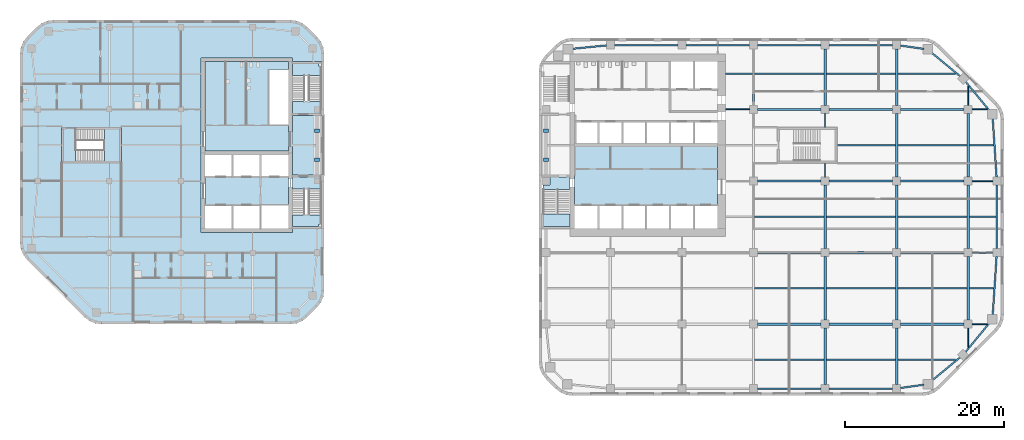
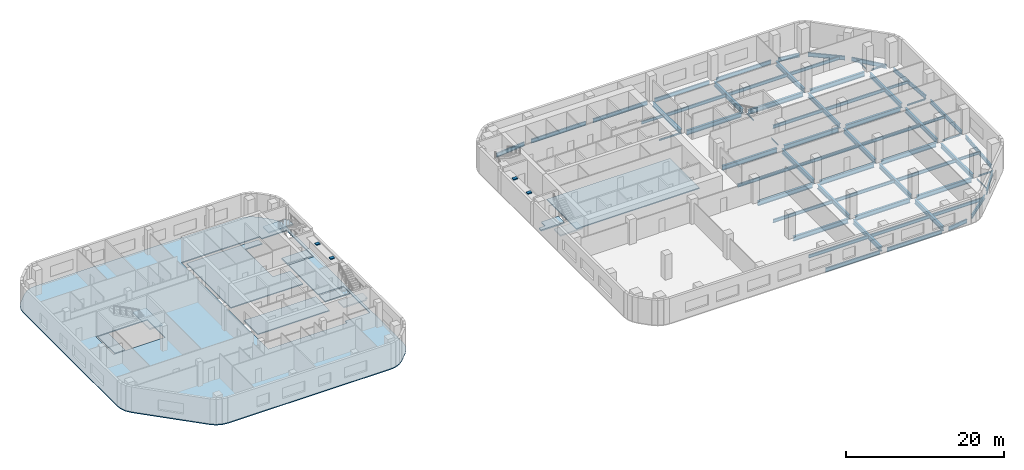
# One storey, part 3 of 15: 68 beams, 12 slabs, 4 members, 4 elements without a shape of their own.
"""IFC4 building model written with IfcOpenShell, lengths in metres."""

from ifc_helpers import new_model, si_unit, direction, frame, origin, origin_2d, place, context, subcontext, project, spatial, polyline, rectangle, i_section, outline, extrude, material, layer, layer_set, material_profile, profile_set, type_object, element, aggregate, save


model = new_model("IFC4")

# Units and contexts
model_context = context("Model", 3, precision=1e-05, world=origin(), true_north=direction((0.0, 1.0)))
body_context = subcontext(model_context, "Body", "Model", "MODEL_VIEW")
ifc_project = project(units=[si_unit("LENGTHUNIT", "METRE"), si_unit("AREAUNIT", "SQUARE_METRE"), si_unit("VOLUMEUNIT", "CUBIC_METRE"), si_unit("PLANEANGLEUNIT", "RADIAN"), si_unit("MASSUNIT", "GRAM", prefix="KILO")], contexts=[model_context])

# Site, building, storey
site_placement = place(None, origin())
site = spatial("IfcSite", under=ifc_project, at=site_placement, CompositionType="ELEMENT")
building_placement = place(site_placement, origin())
building = spatial("IfcBuilding", under=site, at=building_placement, Name="Cinnabar Reach Civic Tower", CompositionType="ELEMENT")
storey_placement = place(building_placement, frame((0.0, 0.0, 67.0)))
storey = spatial("IfcBuildingStorey", under=building, at=storey_placement, Name="L15", CompositionType="ELEMENT", Elevation=67.0)

# Beams
ifc_material_1 = material(Name="Steel Q355B", Category="steel")
ifc_material_profile_1 = material_profile(ifc_material_1, i_section(OverallWidth=0.099, OverallDepth=0.198, WebThickness=0.0045, FlangeThickness=0.007, FilletRadius=0.013, at=origin_2d()), Name="HN200x100x5.5x8")
ifc_profile_set_1 = profile_set([ifc_material_profile_1], Name="Steel Q355B")
beam_type_1 = type_object("IfcBeamType", Name="HN200x100x5.5x8 beam R 180", PredefinedType="BEAM", material=ifc_profile_set_1)
for number, where, z_axis, x_axis, name in (
    (1, (36.0, 27.502, -0.249), (0.0, 1.0, 0.0), (-1.0, 0.0, 0.0), "Girder T1 L15 15"),
    (2, (36.0, 33.752, -0.249), (0.0, 1.0, 0.0), (-1.0, 0.0, 0.0), "Girder T1 L15 16"),
):
    element("IfcBeam", number, at=place(storey_placement, frame(where, z_axis=z_axis, x_axis=x_axis)), inside=storey, type_object=beam_type_1, Name=name, PredefinedType="BEAM", context=body_context, shape_type="SweptSolid", body=[
        extrude(i_section(OverallWidth=0.099, OverallDepth=0.198, WebThickness=0.0045, FlangeThickness=0.007, FilletRadius=0.013, at=origin_2d()), origin(), (0.0, 0.0, 1.0), 1.746),
    ])
for number, where, z_axis, x_axis, name in (
    (3, (54.0, 6.0682, -0.249), (0.0, 1.0, 0.0), (-1.0, 0.0, 0.0), "Girder T1 L15 23"),
    (4, (54.0, 36.502, -0.249), (0.0, 1.0, 0.0), (-1.0, 0.0, 0.0), "Girder T1 L15 27"),
):
    element("IfcBeam", number, at=place(storey_placement, frame(where, z_axis=z_axis, x_axis=x_axis)), inside=storey, type_object=beam_type_1, Name=name, PredefinedType="BEAM", context=body_context, shape_type="SweptSolid", body=[
        extrude(i_section(OverallWidth=0.099, OverallDepth=0.198, WebThickness=0.0045, FlangeThickness=0.007, FilletRadius=0.013, at=origin_2d()), origin(), (0.0, 0.0, 1.0), 2.4298),
    ])
ifc_material_profile_2 = material_profile(ifc_material_1, i_section(OverallWidth=0.124, OverallDepth=0.248, WebThickness=0.005, FlangeThickness=0.008, FilletRadius=0.013, at=origin_2d()), Name="HN250x125x6x9")
ifc_profile_set_2 = profile_set([ifc_material_profile_2], Name="Steel Q355B")
beam_type_2 = type_object("IfcBeamType", Name="HN250x125x6x9 beam R 180", PredefinedType="BEAM", material=ifc_profile_set_2)
beam_1_placement = place(storey_placement, frame((54.502, 9.0, -0.274), z_axis=(1.0, 0.0, 0.0), x_axis=(0.0, 1.0, 0.0)))
element("IfcBeam", 5, at=beam_1_placement, inside=storey, type_object=beam_type_2, Name="Girder T1 L15 7", PredefinedType="BEAM", context=body_context, shape_type="SweptSolid", body=[
    extrude(i_section(OverallWidth=0.124, OverallDepth=0.248, WebThickness=0.005, FlangeThickness=0.008, FilletRadius=0.013, at=origin_2d()), origin(), (0.0, 0.0, 1.0), 1.9162),
])
for number, where, z_axis, x_axis, name in (
    (6, (54.502, 18.0, -0.274), (1.0, 0.0, 0.0), (0.0, 1.0, 0.0), "Girder T1 L15 14"),
    (7, (54.502, 27.0, -0.274), (1.0, 0.0, 0.0), (0.0, 1.0, 0.0), "Girder T1 L15 19"),
):
    element("IfcBeam", number, at=place(storey_placement, frame(where, z_axis=z_axis, x_axis=x_axis)), inside=storey, type_object=beam_type_2, Name=name, PredefinedType="BEAM", context=body_context, shape_type="SweptSolid", body=[
        extrude(i_section(OverallWidth=0.124, OverallDepth=0.248, WebThickness=0.005, FlangeThickness=0.008, FilletRadius=0.013, at=origin_2d()), origin(), (0.0, 0.0, 1.0), 2.596),
    ])
beam_2_placement = place(storey_placement, frame((23.502, 36.0, -0.274), z_axis=(1.0, 0.0, 0.0), x_axis=(0.0, 1.0, 0.0)))
element("IfcBeam", 8, at=beam_2_placement, inside=storey, type_object=beam_type_2, Name="Girder T1 L15 20", PredefinedType="BEAM", context=body_context, shape_type="SweptSolid", body=[
    extrude(i_section(OverallWidth=0.124, OverallDepth=0.248, WebThickness=0.005, FlangeThickness=0.008, FilletRadius=0.013, at=origin_2d()), origin(), (0.0, 0.0, 1.0), 2.996),
])
beam_3_placement = place(storey_placement, frame((54.502, 36.0, -0.274), z_axis=(1.0, 0.0, 0.0), x_axis=(0.0, 1.0, 0.0)))
element("IfcBeam", 9, at=beam_3_placement, inside=storey, type_object=beam_type_2, Name="Girder T1 L15 24", PredefinedType="BEAM", context=body_context, shape_type="SweptSolid", body=[
    extrude(i_section(OverallWidth=0.124, OverallDepth=0.248, WebThickness=0.005, FlangeThickness=0.008, FilletRadius=0.013, at=origin_2d()), origin(), (0.0, 0.0, 1.0), 1.9162),
])
ifc_material_profile_3 = material_profile(ifc_material_1, i_section(OverallWidth=0.2, OverallDepth=0.4, WebThickness=0.008, FlangeThickness=0.013, FilletRadius=0.016, at=origin_2d()), Name="HN400x200x8x13")
ifc_profile_set_3 = profile_set([ifc_material_profile_3], Name="Steel Q355B")
beam_type_3 = type_object("IfcBeamType", Name="HN400x200x8x13 beam R 180", PredefinedType="BEAM", material=ifc_profile_set_3)
beam_4_placement = place(storey_placement, frame((54.152, 13.5, -0.35), z_axis=(1.0, 0.0, 0.0), x_axis=(0.0, 1.0, 0.0)))
element("IfcBeam", 10, at=beam_4_placement, inside=storey, type_object=beam_type_3, Name="Secondary beam T1 L15 13", PredefinedType="BEAM", context=body_context, shape_type="SweptSolid", body=[
    extrude(i_section(OverallWidth=0.2, OverallDepth=0.4, WebThickness=0.008, FlangeThickness=0.013, FilletRadius=0.016, at=origin_2d()), origin(), (0.0, 0.0, 1.0), 3.0494),
])
beam_5_placement = place(storey_placement, frame((54.152, 22.5, -0.35), z_axis=(1.0, 0.0, 0.0), x_axis=(0.0, 1.0, 0.0)))
element("IfcBeam", 11, at=beam_5_placement, inside=storey, type_object=beam_type_3, Name="Secondary beam T1 L15 18", PredefinedType="BEAM", context=body_context, shape_type="SweptSolid", body=[
    extrude(i_section(OverallWidth=0.2, OverallDepth=0.4, WebThickness=0.008, FlangeThickness=0.013, FilletRadius=0.016, at=origin_2d()), origin(), (0.0, 0.0, 1.0), 3.346),
])
beam_6_placement = place(storey_placement, frame((54.152, 31.5, -0.35), z_axis=(1.0, 0.0, 0.0), x_axis=(0.0, 1.0, 0.0)))
element("IfcBeam", 12, at=beam_6_placement, inside=storey, type_object=beam_type_3, Name="Secondary beam T1 L15 24", PredefinedType="BEAM", context=body_context, shape_type="SweptSolid", body=[
    extrude(i_section(OverallWidth=0.2, OverallDepth=0.4, WebThickness=0.008, FlangeThickness=0.013, FilletRadius=0.016, at=origin_2d()), origin(), (0.0, 0.0, 1.0), 3.0494),
])
beam_7_placement = place(storey_placement, frame((23.502, 40.5, -0.35), z_axis=(1.0, 0.0, 0.0), x_axis=(0.0, 1.0, 0.0)))
element("IfcBeam", 13, at=beam_7_placement, inside=storey, type_object=beam_type_3, Name="Secondary beam T1 L15 25", PredefinedType="BEAM", context=body_context, shape_type="SweptSolid", body=[
    extrude(i_section(OverallWidth=0.2, OverallDepth=0.4, WebThickness=0.008, FlangeThickness=0.013, FilletRadius=0.016, at=origin_2d()), origin(), (0.0, 0.0, 1.0), 3.346),
])
ifc_material_profile_4 = material_profile(ifc_material_1, i_section(OverallWidth=0.2, OverallDepth=0.5, WebThickness=0.01, FlangeThickness=0.016, FilletRadius=0.016, at=origin_2d()), Name="HN500x200x10x16")
ifc_profile_set_4 = profile_set([ifc_material_profile_4], Name="Steel Q355B")
beam_type_4 = type_object("IfcBeamType", Name="HN500x200x10x16 beam R 180", PredefinedType="BEAM", material=ifc_profile_set_4)
for number, where, z_axis, x_axis, name in (
    (14, (27.152, 4.5, -0.4), (1.0, 0.0, 0.0), (0.0, 1.0, 0.0), "Secondary beam T1 L15 4"),
    (15, (36.152, 4.5, -0.4), (1.0, 0.0, 0.0), (0.0, 1.0, 0.0), "Secondary beam T1 L15 5"),
):
    element("IfcBeam", number, at=place(storey_placement, frame(where, z_axis=z_axis, x_axis=x_axis)), inside=storey, type_object=beam_type_4, Name=name, PredefinedType="BEAM", context=body_context, shape_type="SweptSolid", body=[
        extrude(i_section(OverallWidth=0.2, OverallDepth=0.5, WebThickness=0.01, FlangeThickness=0.016, FilletRadius=0.016, at=origin_2d()), origin(), (0.0, 0.0, 1.0), 8.696),
    ])
beam_8_placement = place(storey_placement, frame((45.152, 4.5, -0.4), z_axis=(1.0, 0.0, 0.0), x_axis=(0.0, 1.0, 0.0)))
element("IfcBeam", 16, at=beam_8_placement, inside=storey, type_object=beam_type_4, Name="Secondary beam T1 L15 6", PredefinedType="BEAM", context=body_context, shape_type="SweptSolid", body=[
    extrude(i_section(OverallWidth=0.2, OverallDepth=0.5, WebThickness=0.01, FlangeThickness=0.016, FilletRadius=0.016, at=origin_2d()), origin(), (0.0, 0.0, 1.0), 7.2798),
])
for number, where, z_axis, x_axis, name in (
    (17, (27.152, 13.5, -0.4), (1.0, 0.0, 0.0), (0.0, 1.0, 0.0), "Secondary beam T1 L15 10"),
    (18, (36.152, 13.5, -0.4), (1.0, 0.0, 0.0), (0.0, 1.0, 0.0), "Secondary beam T1 L15 11"),
    (19, (45.152, 13.5, -0.4), (1.0, 0.0, 0.0), (0.0, 1.0, 0.0), "Secondary beam T1 L15 12"),
    (20, (27.152, 22.5, -0.4), (1.0, 0.0, 0.0), (0.0, 1.0, 0.0), "Secondary beam T1 L15 15"),
    (21, (36.152, 22.5, -0.4), (1.0, 0.0, 0.0), (0.0, 1.0, 0.0), "Secondary beam T1 L15 16"),
    (22, (45.152, 22.5, -0.4), (1.0, 0.0, 0.0), (0.0, 1.0, 0.0), "Secondary beam T1 L15 17"),
):
    element("IfcBeam", number, at=place(storey_placement, frame(where, z_axis=z_axis, x_axis=x_axis)), inside=storey, type_object=beam_type_4, Name=name, PredefinedType="BEAM", context=body_context, shape_type="SweptSolid", body=[
        extrude(i_section(OverallWidth=0.2, OverallDepth=0.5, WebThickness=0.01, FlangeThickness=0.016, FilletRadius=0.016, at=origin_2d()), origin(), (0.0, 0.0, 1.0), 8.696),
    ])
beam_9_placement = place(storey_placement, frame((37.502, 31.5, -0.4), z_axis=(1.0, 0.0, 0.0), x_axis=(0.0, 1.0, 0.0)))
element("IfcBeam", 23, at=beam_9_placement, inside=storey, type_object=beam_type_4, Name="Secondary beam T1 L15 22", PredefinedType="BEAM", context=body_context, shape_type="SweptSolid", body=[
    extrude(i_section(OverallWidth=0.2, OverallDepth=0.5, WebThickness=0.01, FlangeThickness=0.016, FilletRadius=0.016, at=origin_2d()), origin(), (0.0, 0.0, 1.0), 7.346),
])
for number, where, z_axis, x_axis, name in (
    (24, (45.152, 31.5, -0.4), (1.0, 0.0, 0.0), (0.0, 1.0, 0.0), "Secondary beam T1 L15 23"),
    (25, (27.152, 40.5, -0.4), (1.0, 0.0, 0.0), (0.0, 1.0, 0.0), "Secondary beam T1 L15 26"),
    (26, (36.152, 40.5, -0.4), (1.0, 0.0, 0.0), (0.0, 1.0, 0.0), "Secondary beam T1 L15 27"),
):
    element("IfcBeam", number, at=place(storey_placement, frame(where, z_axis=z_axis, x_axis=x_axis)), inside=storey, type_object=beam_type_4, Name=name, PredefinedType="BEAM", context=body_context, shape_type="SweptSolid", body=[
        extrude(i_section(OverallWidth=0.2, OverallDepth=0.5, WebThickness=0.01, FlangeThickness=0.016, FilletRadius=0.016, at=origin_2d()), origin(), (0.0, 0.0, 1.0), 8.696),
    ])
beam_10_placement = place(storey_placement, frame((45.152, 40.5, -0.4), z_axis=(1.0, 0.0, 0.0), x_axis=(0.0, 1.0, 0.0)))
element("IfcBeam", 27, at=beam_10_placement, inside=storey, type_object=beam_type_4, Name="Secondary beam T1 L15 28", PredefinedType="BEAM", context=body_context, shape_type="SweptSolid", body=[
    extrude(i_section(OverallWidth=0.2, OverallDepth=0.5, WebThickness=0.01, FlangeThickness=0.016, FilletRadius=0.016, at=origin_2d()), origin(), (0.0, 0.0, 1.0), 7.2798),
])
ifc_material_profile_5 = material_profile(ifc_material_1, i_section(OverallWidth=0.2, OverallDepth=0.6, WebThickness=0.011, FlangeThickness=0.017, FilletRadius=0.016, at=origin_2d()), Name="HN600x200x11x17")
ifc_profile_set_5 = profile_set([ifc_material_profile_5], Name="Steel Q355B")
beam_type_5 = type_object("IfcBeamType", Name="HN600x200x11x17 beam R 180", PredefinedType="BEAM", material=ifc_profile_set_5)
for number, where, z_axis, x_axis, name in (
    (28, (27.502, 0.9, -0.45), (1.0, 0.0, 0.0), (0.0, 1.0, 0.0), "Edge beam T1 L15 4"),
    (29, (36.502, 0.9, -0.45), (1.0, 0.0, 0.0), (0.0, 1.0, 0.0), "Edge beam T1 L15 5"),
):
    element("IfcBeam", number, at=place(storey_placement, frame(where, z_axis=z_axis, x_axis=x_axis)), inside=storey, type_object=beam_type_5, Name=name, PredefinedType="BEAM", context=body_context, shape_type="SweptSolid", body=[
        extrude(i_section(OverallWidth=0.2, OverallDepth=0.6, WebThickness=0.011, FlangeThickness=0.017, FilletRadius=0.016, at=origin_2d()), origin(), (0.0, 0.0, 1.0), 7.996),
    ])
beam_11_placement = place(storey_placement, frame((45.502, 0.9712, -0.45), z_axis=(0.990082238922, 0.140489003738, 0.0), x_axis=(-0.140489003738, 0.990082238922, 0.0)))
element("IfcBeam", 30, at=beam_11_placement, inside=storey, type_object=beam_type_5, Name="Edge beam T1 L15 6", PredefinedType="BEAM", context=body_context, shape_type="SweptSolid", body=[
    extrude(i_section(OverallWidth=0.2, OverallDepth=0.6, WebThickness=0.011, FlangeThickness=0.017, FilletRadius=0.016, at=origin_2d()), origin(), (0.0, 0.0, 1.0), 2.9433),
])
for number, where, z_axis, x_axis, name in (
    (31, (49.3801, 1.8507, -0.45), (0.77143827905, 0.6363041581, 0.0), (-0.6363041581, 0.77143827905, 0.0), "Edge beam T1 L15 7"),
    (32, (53.6461, 5.4789, -0.45), (0.6363041581, 0.77143827905, 0.0), (-0.77143827905, 0.6363041581, 0.0), "Edge beam T1 L15 8"),
):
    element("IfcBeam", number, at=place(storey_placement, frame(where, z_axis=z_axis, x_axis=x_axis)), inside=storey, type_object=beam_type_5, Name=name, PredefinedType="BEAM", context=body_context, shape_type="SweptSolid", body=[
        extrude(i_section(OverallWidth=0.2, OverallDepth=0.6, WebThickness=0.011, FlangeThickness=0.017, FilletRadius=0.016, at=origin_2d()), origin(), (0.0, 0.0, 1.0), 4.7198),
    ])
beam_12_placement = place(storey_placement, frame((57.0786, 10.0839, -0.45), z_axis=(0.065718615968, 0.997838195057, 0.0), x_axis=(-0.997838195057, 0.065718615968, 0.0)))
element("IfcBeam", 33, at=beam_12_placement, inside=storey, type_object=beam_type_5, Name="Edge beam T1 L15 9", PredefinedType="BEAM", context=body_context, shape_type="SweptSolid", body=[
    extrude(i_section(OverallWidth=0.2, OverallDepth=0.6, WebThickness=0.011, FlangeThickness=0.017, FilletRadius=0.016, at=origin_2d()), origin(), (0.0, 0.0, 1.0), 7.4302),
])
beam_13_placement = place(storey_placement, frame((57.6, 18.502, -0.45), z_axis=(0.0, 1.0, 0.0), x_axis=(-1.0, 0.0, 0.0)))
element("IfcBeam", 34, at=beam_13_placement, inside=storey, type_object=beam_type_5, Name="Edge beam T1 L15 10", PredefinedType="BEAM", context=body_context, shape_type="SweptSolid", body=[
    extrude(i_section(OverallWidth=0.2, OverallDepth=0.6, WebThickness=0.011, FlangeThickness=0.017, FilletRadius=0.016, at=origin_2d()), origin(), (0.0, 0.0, 1.0), 7.996),
])
beam_14_placement = place(storey_placement, frame((57.5669, 27.502, -0.45), z_axis=(-0.065718615968, 0.997838195057, 0.0), x_axis=(-0.997838195057, -0.065718615968, 0.0)))
element("IfcBeam", 35, at=beam_14_placement, inside=storey, type_object=beam_type_5, Name="Edge beam T1 L15 11", PredefinedType="BEAM", context=body_context, shape_type="SweptSolid", body=[
    extrude(i_section(OverallWidth=0.2, OverallDepth=0.6, WebThickness=0.011, FlangeThickness=0.017, FilletRadius=0.016, at=origin_2d()), origin(), (0.0, 0.0, 1.0), 7.4302),
])
for number, where, z_axis, x_axis, name in (
    (36, (56.6493, 35.8801, -0.45), (-0.6363041581, 0.77143827905, 0.0), (-0.77143827905, -0.6363041581, 0.0), "Edge beam T1 L15 12"),
    (37, (53.0211, 40.1461, -0.45), (-0.77143827905, 0.6363041581, 0.0), (-0.6363041581, -0.77143827905, 0.0), "Edge beam T1 L15 13"),
):
    element("IfcBeam", number, at=place(storey_placement, frame(where, z_axis=z_axis, x_axis=x_axis)), inside=storey, type_object=beam_type_5, Name=name, PredefinedType="BEAM", context=body_context, shape_type="SweptSolid", body=[
        extrude(i_section(OverallWidth=0.2, OverallDepth=0.6, WebThickness=0.011, FlangeThickness=0.017, FilletRadius=0.016, at=origin_2d()), origin(), (0.0, 0.0, 1.0), 4.7198),
    ])
beam_15_placement = place(storey_placement, frame((48.4161, 43.6153, -0.45), z_axis=(-0.990082238922, 0.140489003738, 0.0), x_axis=(-0.140489003738, -0.990082238922, 0.0)))
element("IfcBeam", 38, at=beam_15_placement, inside=storey, type_object=beam_type_5, Name="Edge beam T1 L15 14", PredefinedType="BEAM", context=body_context, shape_type="SweptSolid", body=[
    extrude(i_section(OverallWidth=0.2, OverallDepth=0.6, WebThickness=0.011, FlangeThickness=0.017, FilletRadius=0.016, at=origin_2d()), origin(), (0.0, 0.0, 1.0), 2.9433),
])
for number, where, z_axis, x_axis, name in (
    (39, (44.498, 44.1, -0.45), (-1.0, 0.0, 0.0), (0.0, -1.0, 0.0), "Edge beam T1 L15 15"),
    (40, (35.498, 44.1, -0.45), (-1.0, 0.0, 0.0), (0.0, -1.0, 0.0), "Edge beam T1 L15 16"),
    (41, (26.498, 44.1, -0.45), (-1.0, 0.0, 0.0), (0.0, -1.0, 0.0), "Edge beam T1 L15 17"),
    (42, (17.498, 44.1, -0.45), (-1.0, 0.0, 0.0), (0.0, -1.0, 0.0), "Edge beam T1 L15 18"),
):
    element("IfcBeam", number, at=place(storey_placement, frame(where, z_axis=z_axis, x_axis=x_axis)), inside=storey, type_object=beam_type_5, Name=name, PredefinedType="BEAM", context=body_context, shape_type="SweptSolid", body=[
        extrude(i_section(OverallWidth=0.2, OverallDepth=0.6, WebThickness=0.011, FlangeThickness=0.017, FilletRadius=0.016, at=origin_2d()), origin(), (0.0, 0.0, 1.0), 7.996),
    ])
beam_16_placement = place(storey_placement, frame((8.498, 44.0505, -0.45), z_axis=(-0.995166374533, -0.098203294236, 0.0), x_axis=(0.098203294236, -0.995166374533, 0.0)))
element("IfcBeam", 43, at=beam_16_placement, inside=storey, type_object=beam_type_5, Name="Edge beam T1 L15 19", PredefinedType="BEAM", context=body_context, shape_type="SweptSolid", body=[
    extrude(i_section(OverallWidth=0.2, OverallDepth=0.6, WebThickness=0.011, FlangeThickness=0.017, FilletRadius=0.016, at=origin_2d()), origin(), (0.0, 0.0, 1.0), 4.3705),
])
ifc_material_profile_6 = material_profile(ifc_material_1, i_section(OverallWidth=0.3, OverallDepth=0.692, WebThickness=0.013, FlangeThickness=0.02, FilletRadius=0.016, at=origin_2d()), Name="HN692x300x13x20")
ifc_profile_set_6 = profile_set([ifc_material_profile_6], Name="Steel Q355B")
beam_type_6 = type_object("IfcBeamType", Name="HN692x300x13x20 beam R 180", PredefinedType="BEAM", material=ifc_profile_set_6)
for number, where, z_axis, x_axis, name in (
    (44, (27.0, 36.502, -0.496), (0.0, 1.0, 0.0), (-1.0, 0.0, 0.0), "Girder T1 L15 11"),
    (45, (36.0, 1.402, -0.496), (0.0, 1.0, 0.0), (-1.0, 0.0, 0.0), "Girder T1 L15 12"),
):
    element("IfcBeam", number, at=place(storey_placement, frame(where, z_axis=z_axis, x_axis=x_axis)), inside=storey, type_object=beam_type_6, Name=name, PredefinedType="BEAM", context=body_context, shape_type="SweptSolid", body=[
        extrude(i_section(OverallWidth=0.3, OverallDepth=0.692, WebThickness=0.013, FlangeThickness=0.02, FilletRadius=0.016, at=origin_2d()), origin(), (0.0, 0.0, 1.0), 7.096),
    ])
for number, where, z_axis, x_axis, name in (
    (46, (36.0, 9.502, -0.496), (0.0, 1.0, 0.0), (-1.0, 0.0, 0.0), "Girder T1 L15 13"),
    (47, (36.0, 18.502, -0.496), (0.0, 1.0, 0.0), (-1.0, 0.0, 0.0), "Girder T1 L15 14"),
):
    element("IfcBeam", number, at=place(storey_placement, frame(where, z_axis=z_axis, x_axis=x_axis)), inside=storey, type_object=beam_type_6, Name=name, PredefinedType="BEAM", context=body_context, shape_type="SweptSolid", body=[
        extrude(i_section(OverallWidth=0.3, OverallDepth=0.692, WebThickness=0.013, FlangeThickness=0.02, FilletRadius=0.016, at=origin_2d()), origin(), (0.0, 0.0, 1.0), 7.996),
    ])
for number, where, z_axis, x_axis, name in (
    (48, (36.0, 36.502, -0.496), (0.0, 1.0, 0.0), (-1.0, 0.0, 0.0), "Girder T1 L15 17"),
    (49, (45.0, 1.402, -0.496), (0.0, 1.0, 0.0), (-1.0, 0.0, 0.0), "Girder T1 L15 18"),
):
    element("IfcBeam", number, at=place(storey_placement, frame(where, z_axis=z_axis, x_axis=x_axis)), inside=storey, type_object=beam_type_6, Name=name, PredefinedType="BEAM", context=body_context, shape_type="SweptSolid", body=[
        extrude(i_section(OverallWidth=0.3, OverallDepth=0.692, WebThickness=0.013, FlangeThickness=0.02, FilletRadius=0.016, at=origin_2d()), origin(), (0.0, 0.0, 1.0), 7.096),
    ])
for number, where, z_axis, x_axis, name in (
    (50, (45.0, 9.502, -0.496), (0.0, 1.0, 0.0), (-1.0, 0.0, 0.0), "Girder T1 L15 19"),
    (51, (45.0, 18.502, -0.496), (0.0, 1.0, 0.0), (-1.0, 0.0, 0.0), "Girder T1 L15 20"),
    (52, (45.0, 27.502, -0.496), (0.0, 1.0, 0.0), (-1.0, 0.0, 0.0), "Girder T1 L15 21"),
):
    element("IfcBeam", number, at=place(storey_placement, frame(where, z_axis=z_axis, x_axis=x_axis)), inside=storey, type_object=beam_type_6, Name=name, PredefinedType="BEAM", context=body_context, shape_type="SweptSolid", body=[
        extrude(i_section(OverallWidth=0.3, OverallDepth=0.692, WebThickness=0.013, FlangeThickness=0.02, FilletRadius=0.016, at=origin_2d()), origin(), (0.0, 0.0, 1.0), 7.996),
    ])
beam_17_placement = place(storey_placement, frame((45.0, 36.502, -0.496), z_axis=(0.0, 1.0, 0.0), x_axis=(-1.0, 0.0, 0.0)))
element("IfcBeam", 53, at=beam_17_placement, inside=storey, type_object=beam_type_6, Name="Girder T1 L15 22", PredefinedType="BEAM", context=body_context, shape_type="SweptSolid", body=[
    extrude(i_section(OverallWidth=0.3, OverallDepth=0.692, WebThickness=0.013, FlangeThickness=0.02, FilletRadius=0.016, at=origin_2d()), origin(), (0.0, 0.0, 1.0), 7.096),
])
for number, where, z_axis, x_axis, name in (
    (54, (54.0, 9.502, -0.496), (0.0, 1.0, 0.0), (-1.0, 0.0, 0.0), "Girder T1 L15 24"),
    (55, (54.0, 18.502, -0.496), (0.0, 1.0, 0.0), (-1.0, 0.0, 0.0), "Girder T1 L15 25"),
    (56, (54.0, 27.502, -0.496), (0.0, 1.0, 0.0), (-1.0, 0.0, 0.0), "Girder T1 L15 26"),
):
    element("IfcBeam", number, at=place(storey_placement, frame(where, z_axis=z_axis, x_axis=x_axis)), inside=storey, type_object=beam_type_6, Name=name, PredefinedType="BEAM", context=body_context, shape_type="SweptSolid", body=[
        extrude(i_section(OverallWidth=0.3, OverallDepth=0.692, WebThickness=0.013, FlangeThickness=0.02, FilletRadius=0.016, at=origin_2d()), origin(), (0.0, 0.0, 1.0), 7.996),
    ])
ifc_material_profile_7 = material_profile(ifc_material_1, i_section(OverallWidth=0.3, OverallDepth=0.7, WebThickness=0.013, FlangeThickness=0.024, FilletRadius=0.02, at=origin_2d()), Name="HN700x300x13x24")
ifc_profile_set_7 = profile_set([ifc_material_profile_7], Name="Steel Q355B")
beam_type_7 = type_object("IfcBeamType", Name="HN700x300x13x24 beam R 180", PredefinedType="BEAM", material=ifc_profile_set_7)
for number, where, z_axis, x_axis, name in (
    (57, (27.502, 9.0, -0.5), (1.0, 0.0, 0.0), (0.0, 1.0, 0.0), "Girder T1 L15 4"),
    (58, (36.502, 9.0, -0.5), (1.0, 0.0, 0.0), (0.0, 1.0, 0.0), "Girder T1 L15 5"),
    (59, (45.502, 9.0, -0.5), (1.0, 0.0, 0.0), (0.0, 1.0, 0.0), "Girder T1 L15 6"),
    (60, (27.502, 18.0, -0.5), (1.0, 0.0, 0.0), (0.0, 1.0, 0.0), "Girder T1 L15 11"),
    (61, (36.502, 18.0, -0.5), (1.0, 0.0, 0.0), (0.0, 1.0, 0.0), "Girder T1 L15 12"),
    (62, (45.502, 18.0, -0.5), (1.0, 0.0, 0.0), (0.0, 1.0, 0.0), "Girder T1 L15 13"),
    (63, (27.502, 27.0, -0.5), (1.0, 0.0, 0.0), (0.0, 1.0, 0.0), "Girder T1 L15 16"),
    (64, (36.502, 27.0, -0.5), (1.0, 0.0, 0.0), (0.0, 1.0, 0.0), "Girder T1 L15 17"),
    (65, (45.502, 27.0, -0.5), (1.0, 0.0, 0.0), (0.0, 1.0, 0.0), "Girder T1 L15 18"),
    (66, (27.502, 36.0, -0.5), (1.0, 0.0, 0.0), (0.0, 1.0, 0.0), "Girder T1 L15 21"),
    (67, (36.502, 36.0, -0.5), (1.0, 0.0, 0.0), (0.0, 1.0, 0.0), "Girder T1 L15 22"),
    (68, (45.502, 36.0, -0.5), (1.0, 0.0, 0.0), (0.0, 1.0, 0.0), "Girder T1 L15 23"),
):
    element("IfcBeam", number, at=place(storey_placement, frame(where, z_axis=z_axis, x_axis=x_axis)), inside=storey, type_object=beam_type_7, Name=name, PredefinedType="BEAM", context=body_context, shape_type="SweptSolid", body=[
        extrude(i_section(OverallWidth=0.3, OverallDepth=0.7, WebThickness=0.013, FlangeThickness=0.024, FilletRadius=0.02, at=origin_2d()), origin(), (0.0, 0.0, 1.0), 7.996),
    ])

# Members
member_type = type_object("IfcMemberType", Name="Sliding bearing", PredefinedType="USERDEFINED", material=ifc_material_1)
for number, where, z_axis, x_axis, name in (
    (69, (0.9, 29.7, 3.286), (0.0, 0.0, 1.0), (1.0, 0.0, 0.0), "BR1 bearing T1"),
    (70, (0.9, 33.3, 3.286), (0.0, 0.0, 1.0), (1.0, 0.0, 0.0), "BR1 bearing T1"),
    (71, (-27.9, 29.7, 3.286), (0.0, 0.0, 1.0), (1.0, 0.0, 0.0), "BR1 bearing T2"),
    (72, (-27.9, 33.3, 3.286), (0.0, 0.0, 1.0), (1.0, 0.0, 0.0), "BR1 bearing T2"),
):
    element("IfcMember", number, at=place(storey_placement, frame(where, z_axis=z_axis, x_axis=x_axis)), inside=storey, type_object=member_type, Name=name, ObjectType="BEARING", PredefinedType="USERDEFINED", context=body_context, shape_type="SweptSolid", body=[
        extrude(rectangle(XDim=0.6, YDim=0.45, at=origin_2d()), origin(), (0.0, 0.0, 1.0), 0.15),
    ])

# Slab
ifc_material_2 = material(Name="Concrete C40", Category="concrete")
ifc_layer_1 = layer(ifc_material_2, 0.15)
ifc_layer_set_1 = layer_set([ifc_layer_1], Name="Composite floor slab 150 REI 120")
slab_type_1 = type_object("IfcSlabType", Name="Composite floor slab 150 REI 120", PredefinedType="FLOOR", material=ifc_layer_set_1)
slab_1_placement = place(storey_placement, frame((0.0, 0.0, -0.15)))
element("IfcSlab", 73, at=slab_1_placement, inside=storey, type_object=slab_type_1, Name="Composite floor slab 150 T2 L15", PredefinedType="FLOOR", context=body_context, shape_type="SweptSolid", body=[
    extrude(outline(polyline([(-64.3713, 17.1213), (-64.8481, 17.7426), (-65.1478, 18.4662), (-65.25, 19.2426), (-65.25, 43.0074), (-65.1478, 43.7838), (-64.8481, 44.5074), (-64.3713, 45.1287), (-63.1287, 46.3713), (-62.5074, 46.8481), (-61.7838, 47.1478), (-61.0074, 47.25), (-31.2426, 47.25), (-30.4662, 47.1478), (-29.7426, 46.8481), (-29.1213, 46.3713), (-27.8787, 45.1287), (-27.4019, 44.5074), (-27.1022, 43.7838), (-27.0, 43.0074), (-27.0, 13.2426), (-27.1022, 12.4662), (-27.4019, 11.7426), (-27.8787, 11.1213), (-29.1213, 9.8787), (-29.7426, 9.4019), (-30.4662, 9.1022), (-31.2426, 9.0), (-55.0074, 9.0), (-55.7838, 9.1022), (-56.5074, 9.4019), (-57.1287, 9.8787), (-64.3713, 17.1213)]), holes=[polyline([(-31.0, 27.75), (-31.0, 35.25), (-27.36, 35.25), (-27.36, 42.0), (-31.0, 42.0), (-31.0, 42.5), (-42.5, 42.5), (-42.5, 20.5), (-31.0, 20.5), (-31.0, 21.0), (-27.36, 21.0), (-27.36, 27.75), (-31.0, 27.75)]), polyline([(-60.0, 33.75), (-60.0, 29.25), (-52.5, 29.25), (-52.5, 33.75), (-60.0, 33.75)])]), origin(), (0.0, 0.0, 1.0), 0.15),
])

# Stair, slabs
ifc_material_3 = material(Name="Concrete C40/50", Category="concrete")
stair_type_1 = type_object("IfcStairType", Name="T1 Exit stair, half-turn", PredefinedType="HALF_TURN_STAIR", material=ifc_material_3)
stair_1_placement = place(storey_placement, origin())
stair_1 = element("IfcStair", 74, at=stair_1_placement, inside=storey, type_object=stair_type_1, Name="Stair T1-S1", PredefinedType="HALF_TURN_STAIR")
ifc_layer_2 = layer(ifc_material_3, 0.2)
ifc_layer_set_2 = layer_set([ifc_layer_2], Name="T1 Stair landing 200, Concrete C40/50")
slab_type_2 = type_object("IfcSlabType", Name="T1 Stair landing 200, Concrete C40/50", PredefinedType="LANDING", material=ifc_layer_set_2)
slab_2_placement = place(storey_placement, frame((0.0, 0.0, -0.2)))
slab_2 = element("IfcSlab", 75, at=slab_2_placement, type_object=slab_type_2, Name="T1-S1 landing 1", PredefinedType="LANDING", context=body_context, shape_type="SweptSolid", body=[
    extrude(outline(polyline([(3.9, 27.5), (3.9, 25.95), (0.5, 25.95), (0.5, 26.5), (1.4, 26.5), (1.4, 27.5), (3.9, 27.5)])), origin(), (0.0, 0.0, 1.0), 0.2),
])
slab_3_placement = place(storey_placement, frame((0.0, 0.0, 1.8)))
slab_3 = element("IfcSlab", 76, at=slab_3_placement, type_object=slab_type_2, Name="T1-S1 landing 2", PredefinedType="LANDING", context=body_context, shape_type="SweptSolid", body=[
    extrude(outline(polyline([(0.6, 21.25), (0.6, 22.87), (3.9, 22.87), (3.9, 21.25), (0.6, 21.25)])), origin(), (0.0, 0.0, 1.0), 0.2),
])
aggregate(stair_1, [slab_2, slab_3])

# Slabs
ifc_layer_3 = layer(ifc_material_3, 0.15)
ifc_layer_set_3 = layer_set([ifc_layer_3], Name="T1 core floor slab 150")
slab_type_3 = type_object("IfcSlabType", Name="T1 core floor slab 150", PredefinedType="FLOOR", material=ifc_layer_set_3)
slab_4_placement = place(storey_placement, frame((0.0, 0.0, -0.15)))
element("IfcSlab", 77, at=slab_4_placement, inside=storey, type_object=slab_type_3, Name="Core floor slab L15", PredefinedType="FLOOR", context=body_context, shape_type="SweptSolid", body=[
    extrude(outline(polyline([(22.5, 24.0), (19.5, 24.0), (16.5, 24.0), (13.5, 24.0), (10.5, 24.0), (7.5, 24.0), (4.5, 24.0), (4.5, 31.5), (7.5, 31.5), (10.5, 31.5), (13.5, 31.5), (16.5, 31.5), (19.5, 31.5), (22.5, 31.5), (22.5, 24.0)])), origin(), (0.0, 0.0, 1.0), 0.15),
])
ifc_layer_4 = layer(ifc_material_2, 0.15)
ifc_layer_set_4 = layer_set([ifc_layer_4], Name="T2 Core floor slab 150")
slab_type_4 = type_object("IfcSlabType", Name="T2 Core floor slab 150", PredefinedType="FLOOR", material=ifc_layer_set_4)
slab_5_placement = place(storey_placement, frame((0.0, 0.0, -0.15)))
element("IfcSlab", 78, at=slab_5_placement, inside=storey, type_object=slab_type_4, Name="Core floor slab L15", PredefinedType="FLOOR", context=body_context, shape_type="SweptSolid", body=[
    extrude(outline(polyline([(-42.0, 42.0), (-31.5, 42.0), (-31.5, 41.0), (-34.0, 41.0), (-34.0, 34.0), (-31.5, 34.0), (-31.5, 30.75), (-42.0, 30.75), (-42.0, 42.0)])), origin(), (0.0, 0.0, 1.0), 0.15),
])
slab_6_placement = place(storey_placement, frame((0.0, 0.0, -0.15)))
element("IfcSlab", 79, at=slab_6_placement, inside=storey, type_object=slab_type_4, Name="Core floor slab L15", PredefinedType="FLOOR", context=body_context, shape_type="SweptSolid", body=[
    extrude(outline(polyline([(-35.0, 24.0), (-38.5, 24.0), (-42.0, 24.0), (-42.0, 27.5), (-38.5, 27.5), (-35.0, 27.5), (-31.5, 27.5), (-31.5, 24.0), (-35.0, 24.0)])), origin(), (0.0, 0.0, 1.0), 0.15),
])

# Stair, slabs
stair_type_2 = type_object("IfcStairType", Name="T2 Exit stair 1500", PredefinedType="HALF_TURN_STAIR", material=ifc_material_2)
stair_2_placement = place(storey_placement, origin())
stair_2 = element("IfcStair", 80, at=stair_2_placement, inside=storey, type_object=stair_type_2, Name="Exit stair 1", PredefinedType="HALF_TURN_STAIR")
ifc_layer_5 = layer(ifc_material_2, 0.2)
ifc_layer_set_5 = layer_set([ifc_layer_5], Name="T2 Stair landing 200")
slab_type_5 = type_object("IfcSlabType", Name="T2 Stair landing 200", PredefinedType="LANDING", material=ifc_layer_set_5)
slab_7_placement = place(storey_placement, frame((0.0, 0.0, -0.2)))
slab_7 = element("IfcSlab", 81, at=slab_7_placement, type_object=slab_type_5, Name="ST1 landing 1", PredefinedType="LANDING", context=body_context, shape_type="SweptSolid", body=[
    extrude(outline(polyline([(-31.0, 26.0), (-31.0, 27.5), (-27.4, 27.5), (-27.4, 26.0), (-31.0, 26.0)])), origin(), (0.0, 0.0, 1.0), 0.2),
])
slab_8_placement = place(storey_placement, frame((0.0, 0.0, 1.8)))
slab_8 = element("IfcSlab", 82, at=slab_8_placement, type_object=slab_type_5, Name="ST1 landing 2", PredefinedType="LANDING", context=body_context, shape_type="SweptSolid", body=[
    extrude(outline(polyline([(-31.0, 21.25), (-31.0, 22.75), (-27.4, 22.75), (-27.4, 21.55), (-27.7, 21.55), (-27.7, 21.25), (-31.0, 21.25)])), origin(), (0.0, 0.0, 1.0), 0.2),
])
aggregate(stair_2, [slab_7, slab_8])

stair_3_placement = place(storey_placement, origin())
stair_3 = element("IfcStair", 83, at=stair_3_placement, inside=storey, type_object=stair_type_2, Name="Exit stair 2", PredefinedType="HALF_TURN_STAIR")
slab_9_placement = place(storey_placement, frame((0.0, 0.0, -0.2)))
slab_9 = element("IfcSlab", 84, at=slab_9_placement, type_object=slab_type_5, Name="ST2 landing 1", PredefinedType="LANDING", context=body_context, shape_type="SweptSolid", body=[
    extrude(outline(polyline([(-31.0, 35.5), (-31.0, 37.0), (-27.4, 37.0), (-27.4, 35.5), (-31.0, 35.5)])), origin(), (0.0, 0.0, 1.0), 0.2),
])
slab_10_placement = place(storey_placement, frame((0.0, 0.0, 1.8)))
slab_10 = element("IfcSlab", 85, at=slab_10_placement, type_object=slab_type_5, Name="ST2 landing 2", PredefinedType="LANDING", context=body_context, shape_type="SweptSolid", body=[
    extrude(outline(polyline([(-27.4, 40.25), (-31.0, 40.25), (-31.0, 41.75), (-27.7, 41.75), (-27.7, 41.45), (-27.4, 41.45), (-27.4, 40.25)])), origin(), (0.0, 0.0, 1.0), 0.2),
])
aggregate(stair_3, [slab_9, slab_10])

stair_4_placement = place(storey_placement, origin())
stair_4 = element("IfcStair", 86, at=stair_4_placement, inside=storey, type_object=stair_type_2, Name="Exit stair 3", PredefinedType="HALF_TURN_STAIR")
slab_11_placement = place(storey_placement, frame((0.0, 0.0, -0.2)))
slab_11 = element("IfcSlab", 87, at=slab_11_placement, type_object=slab_type_5, Name="ST3 landing 1", PredefinedType="LANDING", context=body_context, shape_type="SweptSolid", body=[
    extrude(outline(polyline([(-59.75, 29.375), (-59.75, 33.625), (-58.25, 33.625), (-58.25, 29.375), (-59.75, 29.375)])), origin(), (0.0, 0.0, 1.0), 0.2),
])
slab_12_placement = place(storey_placement, frame((0.0, 0.0, 1.8)))
slab_12 = element("IfcSlab", 88, at=slab_12_placement, type_object=slab_type_5, Name="ST3 landing 2", PredefinedType="LANDING", context=body_context, shape_type="SweptSolid", body=[
    extrude(outline(polyline([(-54.65, 29.375), (-54.65, 33.625), (-52.75, 33.625), (-52.75, 29.375), (-54.65, 29.375)])), origin(), (0.0, 0.0, 1.0), 0.2),
])
aggregate(stair_4, [slab_11, slab_12])

save(model, "model.ifc")
